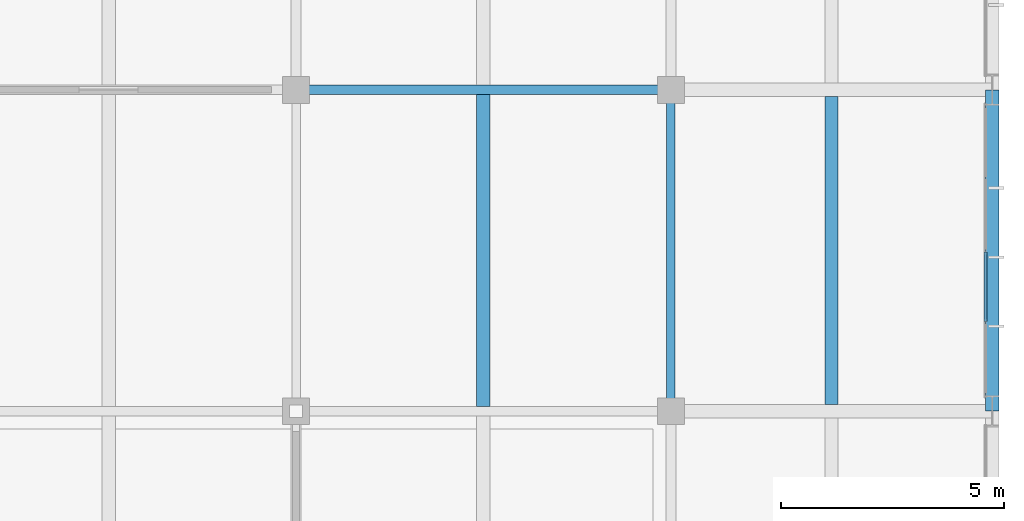
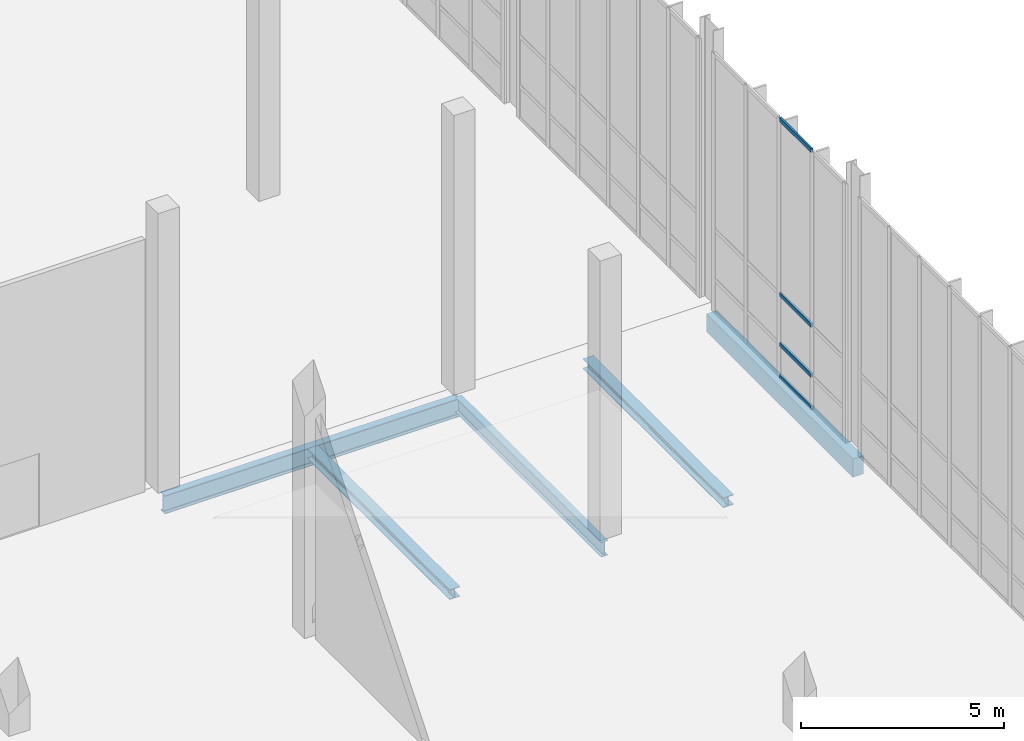
# One storey, part 91 of 131: 5 beams, 4 members, 1 element without a shape of its own.
"""IFC4 building model written with IfcOpenShell, lengths in metres."""

from ifc_helpers import new_model, si_unit, direction, frame, origin, origin_2d, place, context, subcontext, project, spatial, rectangle, hollow_rectangle, i_section, extrude, material, material_profile, profile_set, type_object, element, aggregate, save


model = new_model("IFC4")

# Units and contexts
model_context = context("Model", 3, precision=1e-05, world=origin(), true_north=direction((0.0, 1.0)))
body_context = subcontext(model_context, "Body", "Model", "MODEL_VIEW")
ifc_project = project(units=[si_unit("LENGTHUNIT", "METRE"), si_unit("AREAUNIT", "SQUARE_METRE"), si_unit("VOLUMEUNIT", "CUBIC_METRE"), si_unit("PLANEANGLEUNIT", "RADIAN"), si_unit("MASSUNIT", "GRAM", prefix="KILO")], contexts=[model_context])

# Site, building, storey
site_placement = place(None, origin())
site = spatial("IfcSite", under=ifc_project, at=site_placement, CompositionType="ELEMENT")
building_placement = place(site_placement, origin())
building = spatial("IfcBuilding", under=site, at=building_placement, Name="Veltarok Museum of Natural Sciences", CompositionType="ELEMENT")
storey_placement = place(building_placement, origin())
storey = spatial("IfcBuildingStorey", under=building, at=storey_placement, Name="L00", CompositionType="ELEMENT", Elevation=0.0)

# Beam
ifc_material_1 = material(Name="Steel S355J2", Category="steel")
ifc_material_profile_1 = material_profile(ifc_material_1, i_section(OverallWidth=0.2099609375, OverallDepth=0.550048828125, WebThickness=0.010986328125, FlangeThickness=0.01708984375, FilletRadius=0.02392578125, at=origin_2d()), Name="IPE 550")
ifc_profile_set_1 = profile_set([ifc_material_profile_1], Name="Steel S355J2")
beam_type_1 = type_object("IfcBeamType", Name="Archive Heavy Girder IPE 550", PredefinedType="BEAM", material=ifc_profile_set_1)
beam_1_placement = place(storey_placement, frame((149.199951171875, 26.39990234375, -0.574951171875), z_axis=(1.0, 0.0, 0.0), x_axis=(0.0, 1.0, 0.0)))
element("IfcBeam", 1, at=beam_1_placement, inside=storey, type_object=beam_type_1, Name="Beam BM-G03 L00 18-19/D", PredefinedType="BEAM", context=body_context, shape_type="SweptSolid", body=[
    extrude(i_section(OverallWidth=0.2099609375, OverallDepth=0.550048828125, WebThickness=0.010986328125, FlangeThickness=0.01708984375, FilletRadius=0.02392578125, at=origin_2d()), origin(), (0.0, 0.0, 1.0), 8.400146484375),
])

# Curtain wall, members
ifc_material_2 = material(Name="Low-iron triple insulated glass", Category="glass")
curtain_wall_type = type_object("IfcCurtainWallType", Name="Curtain Wall System CW-V5E-L00-C-650x778 (V5 East Lab L00 C-D 650x778cm)", PredefinedType="NOTDEFINED", material=ifc_material_2)
curtain_wall_placement = place(storey_placement, origin())
curtain_wall = element("IfcCurtainWall", 2, at=curtain_wall_placement, inside=storey, type_object=curtain_wall_type, Name="Curtain Wall CW-V5E-L00-C-650x778 CW-0100", PredefinedType="NOTDEFINED")
ifc_material_3 = material(Name="Thermally broken anodised aluminium", Category="aluminium")
ifc_material_profile_2 = material_profile(ifc_material_3, hollow_rectangle(XDim=0.06005859375, YDim=0.1201171875, WallThickness=0.0048828125, at=origin_2d()), Name="CW TRANSOM 60x120x5")
ifc_profile_set_2 = profile_set([ifc_material_profile_2], Name="Thermally broken anodised aluminium")
member_type = type_object("IfcMemberType", Name="Curtain Wall Horizontal Transom 60x120x5", PredefinedType="USERDEFINED", material=ifc_profile_set_2)
member_1_placement = place(storey_placement, frame((164.64990234375, 21.205078125, 0.030029296875), z_axis=(0.0, 1.0, 0.0), x_axis=(-1.0, 0.0, 0.0)))
member_1 = element("IfcMember", 3, at=member_1_placement, type_object=member_type, Name="CW-V5E-L00-C-650x778 transom 2.1", ObjectType="TRANSOM", PredefinedType="USERDEFINED", context=body_context, shape_type="SweptSolid", body=[
    extrude(hollow_rectangle(XDim=0.06005859375, YDim=0.1201171875, WallThickness=0.0048828125, at=origin_2d()), origin(), (0.0, 0.0, 1.0), 1.56494140625),
])
member_2_placement = place(storey_placement, frame((164.64990234375, 21.205078125, 1.0), z_axis=(0.0, 1.0, 0.0), x_axis=(-1.0, 0.0, 0.0)))
member_2 = element("IfcMember", 4, at=member_2_placement, type_object=member_type, Name="CW-V5E-L00-C-650x778 transom 2.2", ObjectType="TRANSOM", PredefinedType="USERDEFINED", context=body_context, shape_type="SweptSolid", body=[
    extrude(hollow_rectangle(XDim=0.06005859375, YDim=0.1201171875, WallThickness=0.0048828125, at=origin_2d()), origin(), (0.0, 0.0, 1.0), 1.56494140625),
])
member_3_placement = place(storey_placement, frame((164.64990234375, 21.205078125, 2.5), z_axis=(0.0, 1.0, 0.0), x_axis=(-1.0, 0.0, 0.0)))
member_3 = element("IfcMember", 5, at=member_3_placement, type_object=member_type, Name="CW-V5E-L00-C-650x778 transom 2.3", ObjectType="TRANSOM", PredefinedType="USERDEFINED", context=body_context, shape_type="SweptSolid", body=[
    extrude(hollow_rectangle(XDim=0.06005859375, YDim=0.1201171875, WallThickness=0.0048828125, at=origin_2d()), origin(), (0.0, 0.0, 1.0), 1.56494140625),
])
member_4_placement = place(storey_placement, frame((164.64990234375, 21.205078125, 7.75), z_axis=(0.0, 1.0, 0.0), x_axis=(-1.0, 0.0, 0.0)))
member_4 = element("IfcMember", 6, at=member_4_placement, type_object=member_type, Name="CW-V5E-L00-C-650x778 transom 2.4", ObjectType="TRANSOM", PredefinedType="USERDEFINED", context=body_context, shape_type="SweptSolid", body=[
    extrude(hollow_rectangle(XDim=0.06005859375, YDim=0.1201171875, WallThickness=0.0048828125, at=origin_2d()), origin(), (0.0, 0.0, 1.0), 1.56494140625),
])
aggregate(curtain_wall, [member_1, member_2, member_3, member_4])

# Beams
ifc_material_4 = material(Name="Precast concrete C40/50", Category="concrete")
ifc_material_profile_3 = material_profile(ifc_material_4, rectangle(XDim=0.300048828125, YDim=0.550048828125, at=origin_2d()), Name="RC 300x550")
ifc_profile_set_3 = profile_set([ifc_material_profile_3], Name="Precast concrete C40/50")
beam_type_2 = type_object("IfcBeamType", Name="East Wing Precast Spandrel RC 300x550", PredefinedType="SPANDREL", material=ifc_profile_set_3)
beam_2_placement = place(storey_placement, frame((164.800048828125, 19.199951171875, -0.574951171875), z_axis=(0.0, 1.0, 0.0), x_axis=(-1.0, 0.0, 0.0)))
element("IfcBeam", 7, at=beam_2_placement, inside=storey, type_object=beam_type_2, Name="Beam BM-SP02 L00 20/C-D", PredefinedType="SPANDREL", context=body_context, shape_type="SweptSolid", body=[
    extrude(rectangle(XDim=0.300048828125, YDim=0.550048828125, at=origin_2d()), origin(), (0.0, 0.0, 1.0), 7.199951171875),
])
ifc_material_profile_4 = material_profile(ifc_material_1, i_section(OverallWidth=0.18994140625, OverallDepth=0.449951171875, WebThickness=0.009521484375, FlangeThickness=0.0146484375, FilletRadius=0.02099609375, at=origin_2d()), Name="IPE 450")
ifc_profile_set_4 = profile_set([ifc_material_profile_4], Name="Steel S355J2")
beam_type_3 = type_object("IfcBeamType", Name="Laboratory Floor Girder IPE 450", PredefinedType="BEAM", material=ifc_profile_set_4)
beam_3_placement = place(storey_placement, frame((157.60009765625, 19.199951171875, -0.52490234375), z_axis=(0.0, 1.0, 0.0), x_axis=(-1.0, 0.0, 0.0)))
element("IfcBeam", 8, at=beam_3_placement, inside=storey, type_object=beam_type_3, Name="Beam BM-G05 L00 19/C-D", PredefinedType="BEAM", context=body_context, shape_type="SweptSolid", body=[
    extrude(i_section(OverallWidth=0.18994140625, OverallDepth=0.449951171875, WebThickness=0.009521484375, FlangeThickness=0.0146484375, FilletRadius=0.02099609375, at=origin_2d()), origin(), (0.0, 0.0, 1.0), 7.199951171875),
])
ifc_material_profile_5 = material_profile(ifc_material_1, i_section(OverallWidth=0.300048828125, OverallDepth=0.300048828125, WebThickness=0.010986328125, FlangeThickness=0.01904296875, FilletRadius=0.027099609375, at=origin_2d()), Name="HEB 300")
ifc_profile_set_5 = profile_set([ifc_material_profile_5], Name="Steel S355J2")
beam_type_4 = type_object("IfcBeamType", Name="Laboratory Floor Joist HEB 300", PredefinedType="JOIST", material=ifc_profile_set_5)
beam_4_placement = place(storey_placement, frame((153.39990234375, 19.302978515625, -0.449951171875), z_axis=(0.0, 1.0, 0.0), x_axis=(-1.0, 0.0, 0.0)))
element("IfcBeam", 9, at=beam_4_placement, inside=storey, type_object=beam_type_4, Name="Secondary Joist BM-J10 L00 18-19/C-D.1", PredefinedType="JOIST", context=body_context, shape_type="SweptSolid", body=[
    extrude(i_section(OverallWidth=0.300048828125, OverallDepth=0.300048828125, WebThickness=0.010986328125, FlangeThickness=0.01904296875, FilletRadius=0.027099609375, at=origin_2d()), origin(), (0.0, 0.0, 1.0), 6.994140625),
])
beam_5_placement = place(storey_placement, frame((161.199951171875, 19.347900390625, -0.449951171875), z_axis=(0.0, 1.0, 0.0), x_axis=(-1.0, 0.0, 0.0)))
element("IfcBeam", 10, at=beam_5_placement, inside=storey, type_object=beam_type_4, Name="Secondary Joist BM-J10 L00 19-20/C-D.1", PredefinedType="JOIST", context=body_context, shape_type="SweptSolid", body=[
    extrude(i_section(OverallWidth=0.300048828125, OverallDepth=0.300048828125, WebThickness=0.010986328125, FlangeThickness=0.01904296875, FilletRadius=0.027099609375, at=origin_2d()), origin(), (0.0, 0.0, 1.0), 6.904052734375),
])

save(model, "model.ifc")
